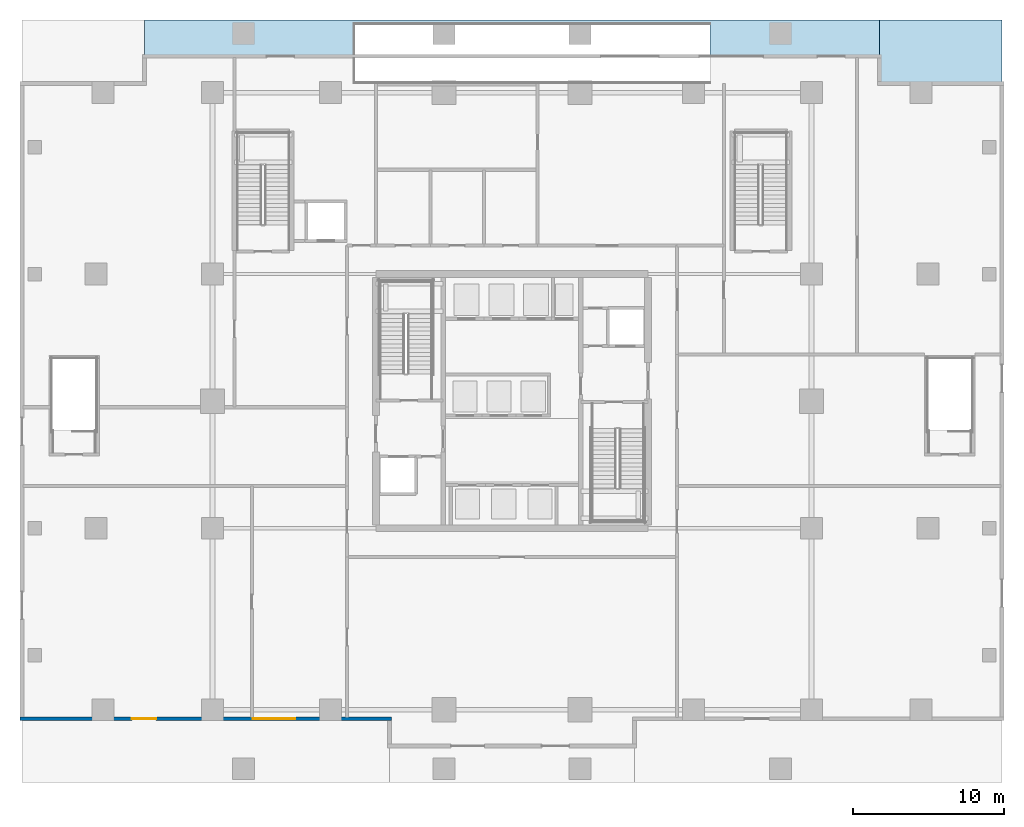
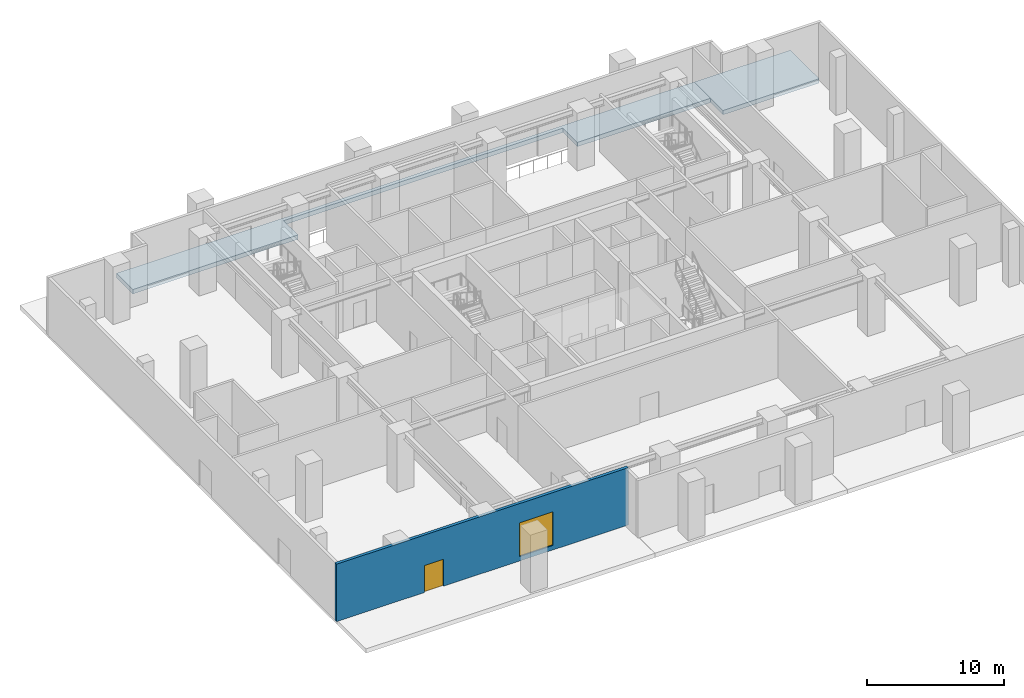
# One storey, part 2 of 15: 2 slabs, 1 door, 1 wall, 1 window, 2 openings.
"""IFC4 building model written with IfcOpenShell, lengths in metres."""

from ifc_helpers import new_model, si_unit, direction, frame, frame_2d, origin, place, context, subcontext, project, spatial, polyline, rectangle, outline, extrude, source, transform, mapped, material, layer, layer_set, type_object, element, fill, save


model = new_model("IFC4")

# Units and contexts
model_context = context("Model", 3, precision=1e-05, world=origin(), true_north=direction((0.0, 1.0)))
body_context = subcontext(model_context, "Body", "Model", "MODEL_VIEW")
ifc_project = project(units=[si_unit("LENGTHUNIT", "METRE"), si_unit("AREAUNIT", "SQUARE_METRE"), si_unit("VOLUMEUNIT", "CUBIC_METRE"), si_unit("PLANEANGLEUNIT", "RADIAN"), si_unit("MASSUNIT", "GRAM", prefix="KILO")], contexts=[model_context])

# Site, building, storey
site_placement = place(None, origin())
site = spatial("IfcSite", under=ifc_project, at=site_placement, CompositionType="ELEMENT")
building_placement = place(site_placement, origin())
building = spatial("IfcBuilding", under=site, at=building_placement, Name="Serunith Strait Residences", CompositionType="ELEMENT")
storey_placement = place(building_placement, origin())
storey = spatial("IfcBuildingStorey", under=building, at=storey_placement, Name="L00", CompositionType="ELEMENT", Elevation=0.0)

# Slabs
ifc_material_1 = material(Name="Concrete C40/50", Category="concrete")
ifc_layer_1 = layer(ifc_material_1, 0.3798828125, Name="Concrete C40/50")
ifc_layer_set_1 = layer_set([ifc_layer_1], Name="Concrete C40/50")
slab_type = type_object("IfcSlabType", Name="SLB-PAV-380", PredefinedType="USERDEFINED", material=ifc_layer_set_1)
slab_1_placement = place(storey_placement, frame((0.0, 0.0, -0.3798828125)))
element("IfcSlab", 1, at=slab_1_placement, inside=storey, type_object=slab_type, Name="North East Forecourt Paving", ObjectType="PAVING", PredefinedType="USERDEFINED", context=body_context, shape_type="SweptSolid", body=[
    extrude(outline(polyline([(64.800048828125, 50.39990234375), (64.800048828125, 46.2099609375), (56.7099609375, 46.2099609375), (56.7099609375, 48.010009765625), (56.705078125, 48.010009765625), (56.705078125, 50.39990234375), (64.800048828125, 50.39990234375)])), origin(), (0.0, 0.0, 1.0), 0.3798828125),
])
slab_2_placement = place(storey_placement, frame((0.0, 0.0, -0.3798828125)))
element("IfcSlab", 2, at=slab_2_placement, inside=storey, type_object=slab_type, Name="North Drop-Off Driveway Paving", ObjectType="PAVING", PredefinedType="USERDEFINED", context=body_context, shape_type="SweptSolid", body=[
    extrude(outline(polyline([(56.695068359375, 50.39990234375), (56.695068359375, 48.010009765625), (45.5, 48.010009765625), (45.5, 50.10009765625), (22.0, 50.10009765625), (22.0, 48.010009765625), (8.10498046875, 48.010009765625), (8.10498046875, 50.39990234375), (56.695068359375, 50.39990234375)])), origin(), (0.0, 0.0, 1.0), 0.3798828125),
])

# Wall, openings, door, window
ifc_material_2 = material(Name="Pale-Silver Aluminium Terracotta-Backed Wall", Category="masonry")
ifc_layer_2 = layer(ifc_material_2, 0.25, Name="Pale-Silver Aluminium Terracotta-Backed Wall")
ifc_layer_set_2 = layer_set([ifc_layer_2], Name="Pale-Silver Aluminium Terracotta-Backed Wall")
wall_type = type_object("IfcWallType", Name="EW-POD-250", PredefinedType="ELEMENTEDWALL", material=ifc_layer_set_2)
wall_placement = place(storey_placement, frame((-0.125, 4.199951171875, 0.0), z_axis=(0.0, 0.0, 1.0), x_axis=(1.0, 0.0, 0.0)))
wall = element("IfcWall", 3, at=wall_placement, inside=storey, type_object=wall_type, Name="L00 Podium Envelope Wall 1", PredefinedType="ELEMENTEDWALL", context=body_context, shape_type="SweptSolid", body=[
    extrude(rectangle(XDim=24.550048828125, YDim=0.25, at=frame_2d((12.27490234375, 0.0))), origin(), (0.0, 0.0, 1.0), 5.10498046875),
])
opening_1_placement = place(wall_placement, frame((7.39990234375, 0.0, 0.0)))
opening_1 = element("IfcOpeningElement", 4, at=opening_1_placement, cuts=wall, Name="Opening ED-02", PredefinedType="OPENING", context=body_context, shape_type="SweptSolid", body=[
    extrude(rectangle(XDim=1.60009765625, YDim=2.39990234375, at=frame_2d((0.800048828125, 1.199951171875))), frame((0.0, 0.135009765625, 0.0), z_axis=(0.0, -1.0, 0.0), x_axis=(1.0, 0.0, 0.0)), (0.0, 0.0, 1.0), 0.27001953125),
])
opening_2_placement = place(wall_placement, frame((15.39990234375, 0.0, 0.39990234375)))
opening_2 = element("IfcOpeningElement", 5, at=opening_2_placement, cuts=wall, Name="Opening W-07", PredefinedType="OPENING", context=body_context, shape_type="SweptSolid", body=[
    extrude(rectangle(XDim=2.800048828125, YDim=3.0, at=frame_2d((1.39990234375, 1.5))), frame((0.0, 0.135009765625, 0.0), z_axis=(0.0, -1.0, 0.0), x_axis=(1.0, 0.0, 0.0)), (0.0, 0.0, 1.0), 0.27001953125),
])
ifc_material_3 = material(Name="Anodised Aluminium Retail Door", Category="aluminium")
door_type = type_object("IfcDoorType", Name="ED-SHOP-1600", OperationType="NOTDEFINED", PredefinedType="DOOR", material=ifc_material_3)
shared_shape_1 = source(origin(), body_context, "Body", "SweptSolid", [
    extrude(rectangle(XDim=1.60009765625, YDim=2.39990234375, at=frame_2d((0.800048828125, 1.199951171875))), frame((0.0, 0.02490234375, 0.0), z_axis=(0.0, -1.0, 0.0), x_axis=(1.0, 0.0, 0.0)), (0.0, 0.0, 1.0), 0.050048828125),
])
door_placement = place(opening_1_placement, origin())
door = element("IfcDoor", 6, at=door_placement, inside=storey, type_object=door_type, Name="Waterfront Retail Shop Entrance 0", OperationType="SINGLE_SWING_LEFT", OverallHeight=2.39990234375, OverallWidth=1.60009765625, PredefinedType="DOOR", context=body_context, shape_type="MappedRepresentation", body=[
    mapped(shared_shape_1, transform((0.0, 0.0, 0.0), scale=1.0)),
])
fill(opening_1, door)
ifc_material_4 = material(Name="Podium Storefront Low-E Laminated Glass", Category="glass")
window_type = type_object("IfcWindowType", Name="WIN-POD1", PartitioningType="TRIPLE_PANEL_VERTICAL", PredefinedType="WINDOW", material=ifc_material_4)
shared_shape_2 = source(origin(), body_context, "Body", "SweptSolid", [
    extrude(rectangle(XDim=2.800048828125, YDim=3.0, at=frame_2d((1.39990234375, 1.5))), frame((0.0, 0.030029296875, 0.0), z_axis=(0.0, -1.0, 0.0), x_axis=(1.0, 0.0, 0.0)), (0.0, 0.0, 1.0), 0.06005859375),
])
window_placement = place(opening_2_placement, origin())
window = element("IfcWindow", 7, at=window_placement, inside=storey, type_object=window_type, Name="Waterfront Retail Display Window 0", OverallHeight=3.0, OverallWidth=2.800048828125, PartitioningType="SINGLE_PANEL", PredefinedType="WINDOW", context=body_context, shape_type="MappedRepresentation", body=[
    mapped(shared_shape_2, transform((0.0, 0.0, 0.0), scale=1.0)),
])
fill(opening_2, window)

save(model, "model.ifc")
